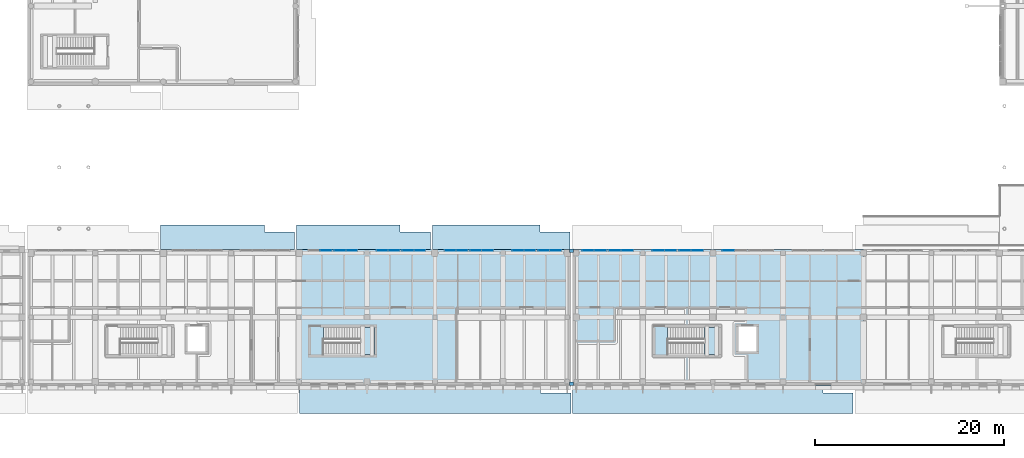
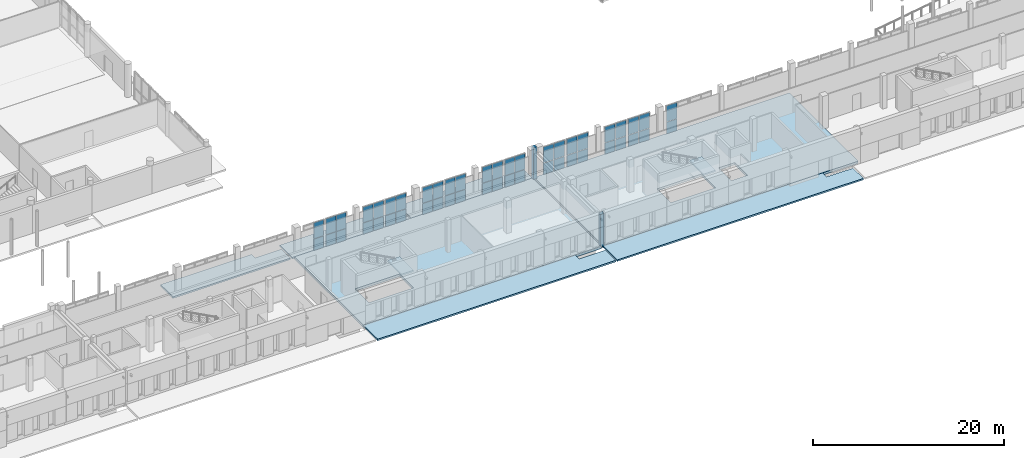
# One storey, part 40 of 77: 50 plates, 9 slabs, 15 elements without a shape of their own.
"""IFC4 building model written with IfcOpenShell, lengths in metres."""

from ifc_helpers import new_model, si_unit, direction, frame, origin, origin_2d, place, context, subcontext, project, spatial, polyline, rectangle, outline, extrude, material, layer, layer_set, type_object, element, aggregate, save


model = new_model("IFC4")

# Units and contexts
model_context = context("Model", 3, precision=1e-05, world=origin(), true_north=direction((0.0, 1.0)))
body_context = subcontext(model_context, "Body", "Model", "MODEL_VIEW")
ifc_project = project(units=[si_unit("LENGTHUNIT", "METRE"), si_unit("AREAUNIT", "SQUARE_METRE"), si_unit("VOLUMEUNIT", "CUBIC_METRE"), si_unit("PLANEANGLEUNIT", "RADIAN"), si_unit("MASSUNIT", "GRAM", prefix="KILO")], contexts=[model_context])

# Site, building, storey
site_placement = place(None, origin())
site = spatial("IfcSite", under=ifc_project, at=site_placement, CompositionType="ELEMENT")
building_placement = place(site_placement, origin())
building = spatial("IfcBuilding", under=site, at=building_placement, Name="Vardoun Plaza Health Centre", CompositionType="ELEMENT")
storey_placement = place(building_placement, origin())
storey = spatial("IfcBuildingStorey", under=building, at=storey_placement, Name="L00", CompositionType="ELEMENT", Elevation=0.0)

# Curtain wall, plates
ifc_material_1 = material(Name="Aluminium Alloy EN AW-6063-T6 and Low-E Glass", Category="aluminium")
ifc_layer_1 = layer(ifc_material_1, 0.14990234375)
ifc_layer_set_1 = layer_set([ifc_layer_1], Name="Aluminium Alloy EN AW-6063-T6 and Low-E Glass")
curtain_wall_type = type_object("IfcCurtainWallType", Name="CW-03", PredefinedType="NOTDEFINED", material=ifc_layer_set_1)
curtain_wall_1_placement = place(storey_placement, origin())
curtain_wall_1 = element("IfcCurtainWall", 1, at=curtain_wall_1_placement, inside=storey, type_object=curtain_wall_type, Name="Curtain Wall CW-V4-109", PredefinedType="NOTDEFINED")
ifc_material_2 = material(Name="Solar-Control Double Low-E Glazing", Category="glass")
ifc_layer_2 = layer(ifc_material_2, 0.028076171875)
ifc_layer_set_2 = layer_set([ifc_layer_2], Name="Solar-Control Double Low-E Glazing")
plate_type_1 = type_object("IfcPlateType", Name="CW-P1", PredefinedType="CURTAIN_PANEL", material=ifc_layer_set_2)
plate_1_placement = place(storey_placement, frame((79.544921875, 18.780029296875, 0.06005859375), z_axis=(0.0, 0.0, 1.0), x_axis=(1.0, 0.0, 0.0)))
plate_1 = element("IfcPlate", 2, at=plate_1_placement, type_object=plate_type_1, Name="CW-V4-109 panel 2.1", PredefinedType="CURTAIN_PANEL", context=body_context, shape_type="SweptSolid", body=[
    extrude(rectangle(XDim=1.18994140625, YDim=0.028076171875, at=origin_2d()), origin(), (0.0, 0.0, 1.0), 1.451416015625),
])
plate_2_placement = place(storey_placement, frame((79.544921875, 18.780029296875, 1.571533203125), z_axis=(0.0, 0.0, 1.0), x_axis=(1.0, 0.0, 0.0)))
plate_2 = element("IfcPlate", 3, at=plate_2_placement, type_object=plate_type_1, Name="CW-V4-109 panel 2.2", PredefinedType="CURTAIN_PANEL", context=body_context, shape_type="SweptSolid", body=[
    extrude(rectangle(XDim=1.18994140625, YDim=0.028076171875, at=origin_2d()), origin(), (0.0, 0.0, 1.0), 2.03857421875),
])
aggregate(curtain_wall_1, [plate_1, plate_2])

curtain_wall_2_placement = place(storey_placement, origin())
curtain_wall_2 = element("IfcCurtainWall", 4, at=curtain_wall_2_placement, inside=storey, type_object=curtain_wall_type, Name="Curtain Wall CW-V4-110", PredefinedType="NOTDEFINED")
plate_3_placement = place(storey_placement, frame((81.014892578125, 18.780029296875, 0.06005859375), z_axis=(0.0, 0.0, 1.0), x_axis=(1.0, 0.0, 0.0)))
plate_3 = element("IfcPlate", 5, at=plate_3_placement, type_object=plate_type_1, Name="CW-V4-110 panel 1.1", PredefinedType="CURTAIN_PANEL", context=body_context, shape_type="SweptSolid", body=[
    extrude(rectangle(XDim=1.18994140625, YDim=0.028076171875, at=origin_2d()), origin(), (0.0, 0.0, 1.0), 1.451416015625),
])
plate_4_placement = place(storey_placement, frame((81.014892578125, 18.780029296875, 1.571533203125), z_axis=(0.0, 0.0, 1.0), x_axis=(1.0, 0.0, 0.0)))
plate_4 = element("IfcPlate", 6, at=plate_4_placement, type_object=plate_type_1, Name="CW-V4-110 panel 1.2", PredefinedType="CURTAIN_PANEL", context=body_context, shape_type="SweptSolid", body=[
    extrude(rectangle(XDim=1.18994140625, YDim=0.028076171875, at=origin_2d()), origin(), (0.0, 0.0, 1.0), 2.03857421875),
])
plate_5_placement = place(storey_placement, frame((82.264892578125, 18.780029296875, 0.06005859375), z_axis=(0.0, 0.0, 1.0), x_axis=(1.0, 0.0, 0.0)))
plate_5 = element("IfcPlate", 7, at=plate_5_placement, type_object=plate_type_1, Name="CW-V4-110 panel 2.1", PredefinedType="CURTAIN_PANEL", context=body_context, shape_type="SweptSolid", body=[
    extrude(rectangle(XDim=1.18994140625, YDim=0.028076171875, at=origin_2d()), origin(), (0.0, 0.0, 1.0), 1.451416015625),
])
plate_6_placement = place(storey_placement, frame((82.264892578125, 18.780029296875, 1.571533203125), z_axis=(0.0, 0.0, 1.0), x_axis=(1.0, 0.0, 0.0)))
plate_6 = element("IfcPlate", 8, at=plate_6_placement, type_object=plate_type_1, Name="CW-V4-110 panel 2.2", PredefinedType="CURTAIN_PANEL", context=body_context, shape_type="SweptSolid", body=[
    extrude(rectangle(XDim=1.18994140625, YDim=0.028076171875, at=origin_2d()), origin(), (0.0, 0.0, 1.0), 2.03857421875),
])
aggregate(curtain_wall_2, [plate_3, plate_4, plate_5, plate_6])

curtain_wall_3_placement = place(storey_placement, origin())
curtain_wall_3 = element("IfcCurtainWall", 9, at=curtain_wall_3_placement, inside=storey, type_object=curtain_wall_type, Name="Curtain Wall CW-V4-111", PredefinedType="NOTDEFINED")
plate_7_placement = place(storey_placement, frame((85.4951171875, 18.780029296875, 0.06005859375), z_axis=(0.0, 0.0, 1.0), x_axis=(1.0, 0.0, 0.0)))
plate_7 = element("IfcPlate", 10, at=plate_7_placement, type_object=plate_type_1, Name="CW-V4-111 panel 1.1", PredefinedType="CURTAIN_PANEL", context=body_context, shape_type="SweptSolid", body=[
    extrude(rectangle(XDim=1.18994140625, YDim=0.028076171875, at=origin_2d()), origin(), (0.0, 0.0, 1.0), 1.417724609375),
])
plate_8_placement = place(storey_placement, frame((85.4951171875, 18.780029296875, 1.537841796875), z_axis=(0.0, 0.0, 1.0), x_axis=(1.0, 0.0, 0.0)))
plate_8 = element("IfcPlate", 11, at=plate_8_placement, type_object=plate_type_1, Name="CW-V4-111 panel 1.2", PredefinedType="CURTAIN_PANEL", context=body_context, shape_type="SweptSolid", body=[
    extrude(rectangle(XDim=1.18994140625, YDim=0.028076171875, at=origin_2d()), origin(), (0.0, 0.0, 1.0), 1.9921875),
])
plate_9_placement = place(storey_placement, frame((86.7451171875, 18.780029296875, 0.06005859375), z_axis=(0.0, 0.0, 1.0), x_axis=(1.0, 0.0, 0.0)))
plate_9 = element("IfcPlate", 12, at=plate_9_placement, type_object=plate_type_1, Name="CW-V4-111 panel 2.1", PredefinedType="CURTAIN_PANEL", context=body_context, shape_type="SweptSolid", body=[
    extrude(rectangle(XDim=1.18994140625, YDim=0.028076171875, at=origin_2d()), origin(), (0.0, 0.0, 1.0), 1.417724609375),
])
plate_10_placement = place(storey_placement, frame((86.7451171875, 18.780029296875, 1.537841796875), z_axis=(0.0, 0.0, 1.0), x_axis=(1.0, 0.0, 0.0)))
plate_10 = element("IfcPlate", 13, at=plate_10_placement, type_object=plate_type_1, Name="CW-V4-111 panel 2.2", PredefinedType="CURTAIN_PANEL", context=body_context, shape_type="SweptSolid", body=[
    extrude(rectangle(XDim=1.18994140625, YDim=0.028076171875, at=origin_2d()), origin(), (0.0, 0.0, 1.0), 1.9921875),
])
aggregate(curtain_wall_3, [plate_7, plate_8, plate_9, plate_10])

curtain_wall_4_placement = place(storey_placement, origin())
curtain_wall_4 = element("IfcCurtainWall", 14, at=curtain_wall_4_placement, inside=storey, type_object=curtain_wall_type, Name="Curtain Wall CW-V4-112", PredefinedType="NOTDEFINED")
plate_11_placement = place(storey_placement, frame((88.215087890625, 18.780029296875, 0.06005859375), z_axis=(0.0, 0.0, 1.0), x_axis=(1.0, 0.0, 0.0)))
plate_11 = element("IfcPlate", 15, at=plate_11_placement, type_object=plate_type_1, Name="CW-V4-112 panel 1.1", PredefinedType="CURTAIN_PANEL", context=body_context, shape_type="SweptSolid", body=[
    extrude(rectangle(XDim=1.18994140625, YDim=0.028076171875, at=origin_2d()), origin(), (0.0, 0.0, 1.0), 1.417724609375),
])
plate_12_placement = place(storey_placement, frame((88.215087890625, 18.780029296875, 1.537841796875), z_axis=(0.0, 0.0, 1.0), x_axis=(1.0, 0.0, 0.0)))
plate_12 = element("IfcPlate", 16, at=plate_12_placement, type_object=plate_type_1, Name="CW-V4-112 panel 1.2", PredefinedType="CURTAIN_PANEL", context=body_context, shape_type="SweptSolid", body=[
    extrude(rectangle(XDim=1.18994140625, YDim=0.028076171875, at=origin_2d()), origin(), (0.0, 0.0, 1.0), 1.9921875),
])
plate_13_placement = place(storey_placement, frame((89.465087890625, 18.780029296875, 0.06005859375), z_axis=(0.0, 0.0, 1.0), x_axis=(1.0, 0.0, 0.0)))
plate_13 = element("IfcPlate", 17, at=plate_13_placement, type_object=plate_type_1, Name="CW-V4-112 panel 2.1", PredefinedType="CURTAIN_PANEL", context=body_context, shape_type="SweptSolid", body=[
    extrude(rectangle(XDim=1.18994140625, YDim=0.028076171875, at=origin_2d()), origin(), (0.0, 0.0, 1.0), 1.417724609375),
])
plate_14_placement = place(storey_placement, frame((89.465087890625, 18.780029296875, 1.537841796875), z_axis=(0.0, 0.0, 1.0), x_axis=(1.0, 0.0, 0.0)))
plate_14 = element("IfcPlate", 18, at=plate_14_placement, type_object=plate_type_1, Name="CW-V4-112 panel 2.2", PredefinedType="CURTAIN_PANEL", context=body_context, shape_type="SweptSolid", body=[
    extrude(rectangle(XDim=1.18994140625, YDim=0.028076171875, at=origin_2d()), origin(), (0.0, 0.0, 1.0), 1.9921875),
])
aggregate(curtain_wall_4, [plate_11, plate_12, plate_13, plate_14])

curtain_wall_5_placement = place(storey_placement, origin())
curtain_wall_5 = element("IfcCurtainWall", 19, at=curtain_wall_5_placement, inside=storey, type_object=curtain_wall_type, Name="Curtain Wall CW-V4-113", PredefinedType="NOTDEFINED")
plate_15_placement = place(storey_placement, frame((92.695068359375, 18.780029296875, 0.06005859375), z_axis=(0.0, 0.0, 1.0), x_axis=(1.0, 0.0, 0.0)))
plate_15 = element("IfcPlate", 20, at=plate_15_placement, type_object=plate_type_1, Name="CW-V4-113 panel 1.1", PredefinedType="CURTAIN_PANEL", context=body_context, shape_type="SweptSolid", body=[
    extrude(rectangle(XDim=1.18994140625, YDim=0.028076171875, at=origin_2d()), origin(), (0.0, 0.0, 1.0), 1.40087890625),
])
plate_16_placement = place(storey_placement, frame((92.695068359375, 18.780029296875, 1.52099609375), z_axis=(0.0, 0.0, 1.0), x_axis=(1.0, 0.0, 0.0)))
plate_16 = element("IfcPlate", 21, at=plate_16_placement, type_object=plate_type_1, Name="CW-V4-113 panel 1.2", PredefinedType="CURTAIN_PANEL", context=body_context, shape_type="SweptSolid", body=[
    extrude(rectangle(XDim=1.18994140625, YDim=0.028076171875, at=origin_2d()), origin(), (0.0, 0.0, 1.0), 1.968994140625),
])
plate_17_placement = place(storey_placement, frame((93.945068359375, 18.780029296875, 0.06005859375), z_axis=(0.0, 0.0, 1.0), x_axis=(1.0, 0.0, 0.0)))
plate_17 = element("IfcPlate", 22, at=plate_17_placement, type_object=plate_type_1, Name="CW-V4-113 panel 2.1", PredefinedType="CURTAIN_PANEL", context=body_context, shape_type="SweptSolid", body=[
    extrude(rectangle(XDim=1.18994140625, YDim=0.028076171875, at=origin_2d()), origin(), (0.0, 0.0, 1.0), 1.40087890625),
])
plate_18_placement = place(storey_placement, frame((93.945068359375, 18.780029296875, 1.52099609375), z_axis=(0.0, 0.0, 1.0), x_axis=(1.0, 0.0, 0.0)))
plate_18 = element("IfcPlate", 23, at=plate_18_placement, type_object=plate_type_1, Name="CW-V4-113 panel 2.2", PredefinedType="CURTAIN_PANEL", context=body_context, shape_type="SweptSolid", body=[
    extrude(rectangle(XDim=1.18994140625, YDim=0.028076171875, at=origin_2d()), origin(), (0.0, 0.0, 1.0), 1.968994140625),
])
aggregate(curtain_wall_5, [plate_15, plate_16, plate_17, plate_18])

curtain_wall_6_placement = place(storey_placement, origin())
curtain_wall_6 = element("IfcCurtainWall", 24, at=curtain_wall_6_placement, inside=storey, type_object=curtain_wall_type, Name="Curtain Wall CW-V4-114", PredefinedType="NOTDEFINED")
plate_19_placement = place(storey_placement, frame((95.4150390625, 18.780029296875, 0.06005859375), z_axis=(0.0, 0.0, 1.0), x_axis=(1.0, 0.0, 0.0)))
plate_19 = element("IfcPlate", 25, at=plate_19_placement, type_object=plate_type_1, Name="CW-V4-114 panel 1.1", PredefinedType="CURTAIN_PANEL", context=body_context, shape_type="SweptSolid", body=[
    extrude(rectangle(XDim=1.18994140625, YDim=0.028076171875, at=origin_2d()), origin(), (0.0, 0.0, 1.0), 1.40087890625),
])
plate_20_placement = place(storey_placement, frame((95.4150390625, 18.780029296875, 1.52099609375), z_axis=(0.0, 0.0, 1.0), x_axis=(1.0, 0.0, 0.0)))
plate_20 = element("IfcPlate", 26, at=plate_20_placement, type_object=plate_type_1, Name="CW-V4-114 panel 1.2", PredefinedType="CURTAIN_PANEL", context=body_context, shape_type="SweptSolid", body=[
    extrude(rectangle(XDim=1.18994140625, YDim=0.028076171875, at=origin_2d()), origin(), (0.0, 0.0, 1.0), 1.968994140625),
])
plate_21_placement = place(storey_placement, frame((96.6650390625, 18.780029296875, 0.06005859375), z_axis=(0.0, 0.0, 1.0), x_axis=(1.0, 0.0, 0.0)))
plate_21 = element("IfcPlate", 27, at=plate_21_placement, type_object=plate_type_1, Name="CW-V4-114 panel 2.1", PredefinedType="CURTAIN_PANEL", context=body_context, shape_type="SweptSolid", body=[
    extrude(rectangle(XDim=1.18994140625, YDim=0.028076171875, at=origin_2d()), origin(), (0.0, 0.0, 1.0), 1.40087890625),
])
plate_22_placement = place(storey_placement, frame((96.6650390625, 18.780029296875, 1.52099609375), z_axis=(0.0, 0.0, 1.0), x_axis=(1.0, 0.0, 0.0)))
plate_22 = element("IfcPlate", 28, at=plate_22_placement, type_object=plate_type_1, Name="CW-V4-114 panel 2.2", PredefinedType="CURTAIN_PANEL", context=body_context, shape_type="SweptSolid", body=[
    extrude(rectangle(XDim=1.18994140625, YDim=0.028076171875, at=origin_2d()), origin(), (0.0, 0.0, 1.0), 1.968994140625),
])
aggregate(curtain_wall_6, [plate_19, plate_20, plate_21, plate_22])

curtain_wall_7_placement = place(storey_placement, origin())
curtain_wall_7 = element("IfcCurtainWall", 29, at=curtain_wall_7_placement, inside=storey, type_object=curtain_wall_type, Name="Curtain Wall CW-V4-115", PredefinedType="NOTDEFINED")
plate_23_placement = place(storey_placement, frame((99.89501953125, 18.780029296875, 0.06005859375), z_axis=(0.0, 0.0, 1.0), x_axis=(1.0, 0.0, 0.0)))
plate_23 = element("IfcPlate", 30, at=plate_23_placement, type_object=plate_type_1, Name="CW-V4-115 panel 1.1", PredefinedType="CURTAIN_PANEL", context=body_context, shape_type="SweptSolid", body=[
    extrude(rectangle(XDim=1.18994140625, YDim=0.028076171875, at=origin_2d()), origin(), (0.0, 0.0, 1.0), 1.430419921875),
])
plate_24_placement = place(storey_placement, frame((99.89501953125, 18.780029296875, 1.55029296875), z_axis=(0.0, 0.0, 1.0), x_axis=(1.0, 0.0, 0.0)))
plate_24 = element("IfcPlate", 31, at=plate_24_placement, type_object=plate_type_1, Name="CW-V4-115 panel 1.2", PredefinedType="CURTAIN_PANEL", context=body_context, shape_type="SweptSolid", body=[
    extrude(rectangle(XDim=1.18994140625, YDim=0.028076171875, at=origin_2d()), origin(), (0.0, 0.0, 1.0), 2.009521484375),
])
plate_25_placement = place(storey_placement, frame((101.14501953125, 18.780029296875, 0.06005859375), z_axis=(0.0, 0.0, 1.0), x_axis=(1.0, 0.0, 0.0)))
plate_25 = element("IfcPlate", 32, at=plate_25_placement, type_object=plate_type_1, Name="CW-V4-115 panel 2.1", PredefinedType="CURTAIN_PANEL", context=body_context, shape_type="SweptSolid", body=[
    extrude(rectangle(XDim=1.18994140625, YDim=0.028076171875, at=origin_2d()), origin(), (0.0, 0.0, 1.0), 1.430419921875),
])
plate_26_placement = place(storey_placement, frame((101.14501953125, 18.780029296875, 1.55029296875), z_axis=(0.0, 0.0, 1.0), x_axis=(1.0, 0.0, 0.0)))
plate_26 = element("IfcPlate", 33, at=plate_26_placement, type_object=plate_type_1, Name="CW-V4-115 panel 2.2", PredefinedType="CURTAIN_PANEL", context=body_context, shape_type="SweptSolid", body=[
    extrude(rectangle(XDim=1.18994140625, YDim=0.028076171875, at=origin_2d()), origin(), (0.0, 0.0, 1.0), 2.009521484375),
])
aggregate(curtain_wall_7, [plate_23, plate_24, plate_25, plate_26])

curtain_wall_8_placement = place(storey_placement, origin())
curtain_wall_8 = element("IfcCurtainWall", 34, at=curtain_wall_8_placement, inside=storey, type_object=curtain_wall_type, Name="Curtain Wall CW-V4-116", PredefinedType="NOTDEFINED")
plate_27_placement = place(storey_placement, frame((102.614990234375, 18.780029296875, 0.06005859375), z_axis=(0.0, 0.0, 1.0), x_axis=(1.0, 0.0, 0.0)))
plate_27 = element("IfcPlate", 35, at=plate_27_placement, type_object=plate_type_1, Name="CW-V4-116 panel 1.1", PredefinedType="CURTAIN_PANEL", context=body_context, shape_type="SweptSolid", body=[
    extrude(rectangle(XDim=1.18994140625, YDim=0.028076171875, at=origin_2d()), origin(), (0.0, 0.0, 1.0), 1.430419921875),
])
plate_28_placement = place(storey_placement, frame((102.614990234375, 18.780029296875, 1.55029296875), z_axis=(0.0, 0.0, 1.0), x_axis=(1.0, 0.0, 0.0)))
plate_28 = element("IfcPlate", 36, at=plate_28_placement, type_object=plate_type_1, Name="CW-V4-116 panel 1.2", PredefinedType="CURTAIN_PANEL", context=body_context, shape_type="SweptSolid", body=[
    extrude(rectangle(XDim=1.18994140625, YDim=0.028076171875, at=origin_2d()), origin(), (0.0, 0.0, 1.0), 2.009521484375),
])
plate_29_placement = place(storey_placement, frame((103.864990234375, 18.780029296875, 0.06005859375), z_axis=(0.0, 0.0, 1.0), x_axis=(1.0, 0.0, 0.0)))
plate_29 = element("IfcPlate", 37, at=plate_29_placement, type_object=plate_type_1, Name="CW-V4-116 panel 2.1", PredefinedType="CURTAIN_PANEL", context=body_context, shape_type="SweptSolid", body=[
    extrude(rectangle(XDim=1.18994140625, YDim=0.028076171875, at=origin_2d()), origin(), (0.0, 0.0, 1.0), 1.430419921875),
])
plate_30_placement = place(storey_placement, frame((103.864990234375, 18.780029296875, 1.55029296875), z_axis=(0.0, 0.0, 1.0), x_axis=(1.0, 0.0, 0.0)))
plate_30 = element("IfcPlate", 38, at=plate_30_placement, type_object=plate_type_1, Name="CW-V4-116 panel 2.2", PredefinedType="CURTAIN_PANEL", context=body_context, shape_type="SweptSolid", body=[
    extrude(rectangle(XDim=1.18994140625, YDim=0.028076171875, at=origin_2d()), origin(), (0.0, 0.0, 1.0), 2.009521484375),
])
aggregate(curtain_wall_8, [plate_27, plate_28, plate_29, plate_30])

curtain_wall_9_placement = place(storey_placement, origin())
curtain_wall_9 = element("IfcCurtainWall", 39, at=curtain_wall_9_placement, inside=storey, type_object=curtain_wall_type, Name="Curtain Wall CW-V5-133", PredefinedType="NOTDEFINED")
plate_31_placement = place(storey_placement, frame((107.304931640625, 18.780029296875, 0.06005859375), z_axis=(0.0, 0.0, 1.0), x_axis=(1.0, 0.0, 0.0)))
plate_31 = element("IfcPlate", 40, at=plate_31_placement, type_object=plate_type_1, Name="CW-V5-133 panel 1.1", PredefinedType="CURTAIN_PANEL", context=body_context, shape_type="SweptSolid", body=[
    extrude(rectangle(XDim=1.25, YDim=0.028076171875, at=origin_2d()), origin(), (0.0, 0.0, 1.0), 1.438720703125),
])
plate_32_placement = place(storey_placement, frame((107.304931640625, 18.780029296875, 1.55859375), z_axis=(0.0, 0.0, 1.0), x_axis=(1.0, 0.0, 0.0)))
plate_32 = element("IfcPlate", 41, at=plate_32_placement, type_object=plate_type_1, Name="CW-V5-133 panel 1.2", PredefinedType="CURTAIN_PANEL", context=body_context, shape_type="SweptSolid", body=[
    extrude(rectangle(XDim=1.25, YDim=0.028076171875, at=origin_2d()), origin(), (0.0, 0.0, 1.0), 2.021240234375),
])
plate_33_placement = place(storey_placement, frame((108.614990234375, 18.780029296875, 0.06005859375), z_axis=(0.0, 0.0, 1.0), x_axis=(1.0, 0.0, 0.0)))
plate_33 = element("IfcPlate", 42, at=plate_33_placement, type_object=plate_type_1, Name="CW-V5-133 panel 2.1", PredefinedType="CURTAIN_PANEL", context=body_context, shape_type="SweptSolid", body=[
    extrude(rectangle(XDim=1.25, YDim=0.028076171875, at=origin_2d()), origin(), (0.0, 0.0, 1.0), 1.438720703125),
])
plate_34_placement = place(storey_placement, frame((108.614990234375, 18.780029296875, 1.55859375), z_axis=(0.0, 0.0, 1.0), x_axis=(1.0, 0.0, 0.0)))
plate_34 = element("IfcPlate", 43, at=plate_34_placement, type_object=plate_type_1, Name="CW-V5-133 panel 2.2", PredefinedType="CURTAIN_PANEL", context=body_context, shape_type="SweptSolid", body=[
    extrude(rectangle(XDim=1.25, YDim=0.028076171875, at=origin_2d()), origin(), (0.0, 0.0, 1.0), 2.021240234375),
])
aggregate(curtain_wall_9, [plate_31, plate_32, plate_33, plate_34])

curtain_wall_10_placement = place(storey_placement, origin())
curtain_wall_10 = element("IfcCurtainWall", 44, at=curtain_wall_10_placement, inside=storey, type_object=curtain_wall_type, Name="Curtain Wall CW-V5-134", PredefinedType="NOTDEFINED")
plate_35_placement = place(storey_placement, frame((110.14501953125, 18.780029296875, 0.06005859375), z_axis=(0.0, 0.0, 1.0), x_axis=(1.0, 0.0, 0.0)))
plate_35 = element("IfcPlate", 45, at=plate_35_placement, type_object=plate_type_1, Name="CW-V5-134 panel 1.1", PredefinedType="CURTAIN_PANEL", context=body_context, shape_type="SweptSolid", body=[
    extrude(rectangle(XDim=1.25, YDim=0.028076171875, at=origin_2d()), origin(), (0.0, 0.0, 1.0), 1.438720703125),
])
plate_36_placement = place(storey_placement, frame((110.14501953125, 18.780029296875, 1.55859375), z_axis=(0.0, 0.0, 1.0), x_axis=(1.0, 0.0, 0.0)))
plate_36 = element("IfcPlate", 46, at=plate_36_placement, type_object=plate_type_1, Name="CW-V5-134 panel 1.2", PredefinedType="CURTAIN_PANEL", context=body_context, shape_type="SweptSolid", body=[
    extrude(rectangle(XDim=1.25, YDim=0.028076171875, at=origin_2d()), origin(), (0.0, 0.0, 1.0), 2.021240234375),
])
plate_37_placement = place(storey_placement, frame((111.455078125, 18.780029296875, 0.06005859375), z_axis=(0.0, 0.0, 1.0), x_axis=(1.0, 0.0, 0.0)))
plate_37 = element("IfcPlate", 47, at=plate_37_placement, type_object=plate_type_1, Name="CW-V5-134 panel 2.1", PredefinedType="CURTAIN_PANEL", context=body_context, shape_type="SweptSolid", body=[
    extrude(rectangle(XDim=1.25, YDim=0.028076171875, at=origin_2d()), origin(), (0.0, 0.0, 1.0), 1.438720703125),
])
plate_38_placement = place(storey_placement, frame((111.455078125, 18.780029296875, 1.55859375), z_axis=(0.0, 0.0, 1.0), x_axis=(1.0, 0.0, 0.0)))
plate_38 = element("IfcPlate", 48, at=plate_38_placement, type_object=plate_type_1, Name="CW-V5-134 panel 2.2", PredefinedType="CURTAIN_PANEL", context=body_context, shape_type="SweptSolid", body=[
    extrude(rectangle(XDim=1.25, YDim=0.028076171875, at=origin_2d()), origin(), (0.0, 0.0, 1.0), 2.021240234375),
])
aggregate(curtain_wall_10, [plate_35, plate_36, plate_37, plate_38])

curtain_wall_11_placement = place(storey_placement, origin())
curtain_wall_11 = element("IfcCurtainWall", 49, at=curtain_wall_11_placement, inside=storey, type_object=curtain_wall_type, Name="Curtain Wall CW-V5-135", PredefinedType="NOTDEFINED")
plate_39_placement = place(storey_placement, frame((114.7451171875, 18.780029296875, 0.06005859375), z_axis=(0.0, 0.0, 1.0), x_axis=(1.0, 0.0, 0.0)))
plate_39 = element("IfcPlate", 50, at=plate_39_placement, type_object=plate_type_1, Name="CW-V5-135 panel 1.1", PredefinedType="CURTAIN_PANEL", context=body_context, shape_type="SweptSolid", body=[
    extrude(rectangle(XDim=1.25, YDim=0.028076171875, at=origin_2d()), origin(), (0.0, 0.0, 1.0), 1.417724609375),
])
plate_40_placement = place(storey_placement, frame((114.7451171875, 18.780029296875, 1.537841796875), z_axis=(0.0, 0.0, 1.0), x_axis=(1.0, 0.0, 0.0)))
plate_40 = element("IfcPlate", 51, at=plate_40_placement, type_object=plate_type_1, Name="CW-V5-135 panel 1.2", PredefinedType="CURTAIN_PANEL", context=body_context, shape_type="SweptSolid", body=[
    extrude(rectangle(XDim=1.25, YDim=0.028076171875, at=origin_2d()), origin(), (0.0, 0.0, 1.0), 1.9921875),
])
plate_41_placement = place(storey_placement, frame((116.054931640625, 18.780029296875, 0.06005859375), z_axis=(0.0, 0.0, 1.0), x_axis=(1.0, 0.0, 0.0)))
plate_41 = element("IfcPlate", 52, at=plate_41_placement, type_object=plate_type_1, Name="CW-V5-135 panel 2.1", PredefinedType="CURTAIN_PANEL", context=body_context, shape_type="SweptSolid", body=[
    extrude(rectangle(XDim=1.25, YDim=0.028076171875, at=origin_2d()), origin(), (0.0, 0.0, 1.0), 1.417724609375),
])
plate_42_placement = place(storey_placement, frame((116.054931640625, 18.780029296875, 1.537841796875), z_axis=(0.0, 0.0, 1.0), x_axis=(1.0, 0.0, 0.0)))
plate_42 = element("IfcPlate", 53, at=plate_42_placement, type_object=plate_type_1, Name="CW-V5-135 panel 2.2", PredefinedType="CURTAIN_PANEL", context=body_context, shape_type="SweptSolid", body=[
    extrude(rectangle(XDim=1.25, YDim=0.028076171875, at=origin_2d()), origin(), (0.0, 0.0, 1.0), 1.9921875),
])
aggregate(curtain_wall_11, [plate_39, plate_40, plate_41, plate_42])

curtain_wall_12_placement = place(storey_placement, origin())
curtain_wall_12 = element("IfcCurtainWall", 54, at=curtain_wall_12_placement, inside=storey, type_object=curtain_wall_type, Name="Curtain Wall CW-V5-136", PredefinedType="NOTDEFINED")
plate_43_placement = place(storey_placement, frame((117.5849609375, 18.780029296875, 0.06005859375), z_axis=(0.0, 0.0, 1.0), x_axis=(1.0, 0.0, 0.0)))
plate_43 = element("IfcPlate", 55, at=plate_43_placement, type_object=plate_type_1, Name="CW-V5-136 panel 1.1", PredefinedType="CURTAIN_PANEL", context=body_context, shape_type="SweptSolid", body=[
    extrude(rectangle(XDim=1.25, YDim=0.028076171875, at=origin_2d()), origin(), (0.0, 0.0, 1.0), 1.417724609375),
])
plate_44_placement = place(storey_placement, frame((117.5849609375, 18.780029296875, 1.537841796875), z_axis=(0.0, 0.0, 1.0), x_axis=(1.0, 0.0, 0.0)))
plate_44 = element("IfcPlate", 56, at=plate_44_placement, type_object=plate_type_1, Name="CW-V5-136 panel 1.2", PredefinedType="CURTAIN_PANEL", context=body_context, shape_type="SweptSolid", body=[
    extrude(rectangle(XDim=1.25, YDim=0.028076171875, at=origin_2d()), origin(), (0.0, 0.0, 1.0), 1.9921875),
])
plate_45_placement = place(storey_placement, frame((118.89501953125, 18.780029296875, 0.06005859375), z_axis=(0.0, 0.0, 1.0), x_axis=(1.0, 0.0, 0.0)))
plate_45 = element("IfcPlate", 57, at=plate_45_placement, type_object=plate_type_1, Name="CW-V5-136 panel 2.1", PredefinedType="CURTAIN_PANEL", context=body_context, shape_type="SweptSolid", body=[
    extrude(rectangle(XDim=1.25, YDim=0.028076171875, at=origin_2d()), origin(), (0.0, 0.0, 1.0), 1.417724609375),
])
plate_46_placement = place(storey_placement, frame((118.89501953125, 18.780029296875, 1.537841796875), z_axis=(0.0, 0.0, 1.0), x_axis=(1.0, 0.0, 0.0)))
plate_46 = element("IfcPlate", 58, at=plate_46_placement, type_object=plate_type_1, Name="CW-V5-136 panel 2.2", PredefinedType="CURTAIN_PANEL", context=body_context, shape_type="SweptSolid", body=[
    extrude(rectangle(XDim=1.25, YDim=0.028076171875, at=origin_2d()), origin(), (0.0, 0.0, 1.0), 1.9921875),
])
aggregate(curtain_wall_12, [plate_43, plate_44, plate_45, plate_46])

curtain_wall_13_placement = place(storey_placement, origin())
curtain_wall_13 = element("IfcCurtainWall", 59, at=curtain_wall_13_placement, inside=storey, type_object=curtain_wall_type, Name="Curtain Wall CW-V5-137", PredefinedType="NOTDEFINED")
plate_47_placement = place(storey_placement, frame((122.18505859375, 18.780029296875, 0.06005859375), z_axis=(0.0, 0.0, 1.0), x_axis=(1.0, 0.0, 0.0)))
plate_47 = element("IfcPlate", 60, at=plate_47_placement, type_object=plate_type_1, Name="CW-V5-137 panel 1.1", PredefinedType="CURTAIN_PANEL", context=body_context, shape_type="SweptSolid", body=[
    extrude(rectangle(XDim=1.25, YDim=0.028076171875, at=origin_2d()), origin(), (0.0, 0.0, 1.0), 1.459716796875),
])
plate_48_placement = place(storey_placement, frame((122.18505859375, 18.780029296875, 1.579833984375), z_axis=(0.0, 0.0, 1.0), x_axis=(1.0, 0.0, 0.0)))
plate_48 = element("IfcPlate", 61, at=plate_48_placement, type_object=plate_type_1, Name="CW-V5-137 panel 1.2", PredefinedType="CURTAIN_PANEL", context=body_context, shape_type="SweptSolid", body=[
    extrude(rectangle(XDim=1.25, YDim=0.028076171875, at=origin_2d()), origin(), (0.0, 0.0, 1.0), 2.05029296875),
])
aggregate(curtain_wall_13, [plate_47, plate_48])

# Stair, slab
ifc_material_3 = material(Name="Concrete C35/45", Category="concrete")
stair_type = type_object("IfcStairType", Name="ST-01", PredefinedType="HALF_TURN_STAIR", material=ifc_material_3)
stair_1_placement = place(storey_placement, origin())
stair_1 = element("IfcStair", 62, at=stair_1_placement, inside=storey, type_object=stair_type, Name="Core C7 L00 Exit Stair ST-C7-L00", PredefinedType="HALF_TURN_STAIR")
ifc_material_4 = material(Name="Concrete C35/45", Category="concrete")
ifc_layer_3 = layer(ifc_material_4, 0.199951171875)
ifc_layer_set_3 = layer_set([ifc_layer_3], Name="Concrete C35/45")
slab_type_1 = type_object("IfcSlabType", Name="SL-LD", PredefinedType="LANDING", material=ifc_layer_set_3)
slab_1_placement = place(storey_placement, frame((0.0, 0.0, 2.050048828125)))
slab_1 = element("IfcSlab", 63, at=slab_1_placement, type_object=slab_type_1, Name="ST-C7-L00 landing 1", PredefinedType="LANDING", context=body_context, shape_type="SweptSolid", body=[
    extrude(outline(polyline([(83.16943359375, 7.75), (84.64990234375, 7.75), (84.64990234375, 10.64990234375), (83.16943359375, 10.64990234375), (83.16943359375, 7.75)])), origin(), (0.0, 0.0, 1.0), 0.199951171875),
])
aggregate(stair_1, [slab_1])

stair_2_placement = place(storey_placement, origin())
stair_2 = element("IfcStair", 64, at=stair_2_placement, inside=storey, type_object=stair_type, Name="Core C8 L00 Exit Stair ST-C8-L00", PredefinedType="HALF_TURN_STAIR")
slab_2_placement = place(storey_placement, frame((0.0, 0.0, 2.050048828125)))
slab_2 = element("IfcSlab", 65, at=slab_2_placement, type_object=slab_type_1, Name="ST-C8-L00 landing 1", PredefinedType="LANDING", context=body_context, shape_type="SweptSolid", body=[
    extrude(outline(polyline([(119.66943359375, 7.75), (121.14990234375, 7.75), (121.14990234375, 10.64990234375), (119.66943359375, 10.64990234375), (119.66943359375, 7.75)])), origin(), (0.0, 0.0, 1.0), 0.199951171875),
])
aggregate(stair_2, [slab_2])

# Plates
ifc_material_5 = material(Name="Aluminium Alloy EN AW-6063-T6", Category="aluminium")
ifc_layer_4 = layer(ifc_material_5, 0.050048828125)
ifc_layer_set_4 = layer_set([ifc_layer_4], Name="Aluminium Alloy EN AW-6063-T6")
plate_type_2 = type_object("IfcPlateType", Name="SJ-01", PredefinedType="SHEET", material=ifc_layer_set_4)
for number, where, z_axis, x_axis, name in (
    (66, (105.570068359375, 4.64990234375, 0.0), (0.0, 0.0, 1.0), (1.0, 0.0, 0.0), "Seismic Joint Facade Cover SJ-V45-S-L00"),
    (67, (105.570068359375, 18.75, 0.0), (0.0, 0.0, 1.0), (1.0, 0.0, 0.0), "Seismic Joint Facade Cover SJ-V45-N-L00"),
):
    element("IfcPlate", number, at=place(storey_placement, frame(where, z_axis=z_axis, x_axis=x_axis)), inside=storey, type_object=plate_type_2, Name=name, PredefinedType="SHEET", context=body_context, shape_type="SweptSolid", body=[
        extrude(rectangle(XDim=0.419921875, YDim=0.360107421875, at=origin_2d()), origin(), (0.0, 0.0, 1.0), 4.10009765625),
    ])

# Slabs
ifc_material_6 = material(Name="Concrete C35/45", Category="concrete")
ifc_layer_5 = layer(ifc_material_6, 0.294921875)
ifc_layer_set_5 = layer_set([ifc_layer_5], Name="Concrete C35/45")
slab_type_2 = type_object("IfcSlabType", Name="SL-04", PredefinedType="FLOOR", material=ifc_layer_set_5)
slab_3_placement = place(storey_placement, frame((0.0, 0.0, -0.294921875)))
element("IfcSlab", 68, at=slab_3_placement, inside=storey, type_object=slab_type_2, Name="V5 L00 Structural Slab A", PredefinedType="FLOOR", context=body_context, shape_type="SweptSolid", body=[
    extrude(outline(polyline([(105.659912109375, 4.5), (136.5, 4.5), (136.5, 18.89990234375), (105.659912109375, 18.89990234375), (105.659912109375, 4.5)]), holes=[polyline([(115.75048828125, 7.75), (121.14990234375, 7.75), (121.14990234375, 10.64990234375), (115.75048828125, 10.64990234375), (115.75048828125, 7.75)]), polyline([(123.219970703125, 8.070068359375), (125.179931640625, 8.070068359375), (125.179931640625, 10.72998046875), (123.219970703125, 10.72998046875), (123.219970703125, 8.070068359375)])]), origin(), (0.0, 0.0, 1.0), 0.294921875),
])
ifc_material_7 = material(Name="Concrete C35/45", Category="concrete")
ifc_layer_6 = layer(ifc_material_7, 0.31494140625)
ifc_layer_set_6 = layer_set([ifc_layer_6], Name="Concrete C35/45")
slab_type_3 = type_object("IfcSlabType", Name="SL-05", PredefinedType="FLOOR", material=ifc_layer_set_6)
slab_4_placement = place(storey_placement, frame((0.0, 0.0, -0.31494140625)))
element("IfcSlab", 69, at=slab_4_placement, inside=storey, type_object=slab_type_3, Name="V4 L00 Structural Slab B", PredefinedType="FLOOR", context=body_context, shape_type="SweptSolid", body=[
    extrude(outline(polyline([(76.679931640625, 4.5), (105.47998046875, 4.5), (105.47998046875, 18.89990234375), (76.679931640625, 18.89990234375), (76.679931640625, 4.5)]), holes=[polyline([(79.25048828125, 7.75), (84.64990234375, 7.75), (84.64990234375, 10.64990234375), (79.25048828125, 10.64990234375), (79.25048828125, 7.75)])]), origin(), (0.0, 0.0, 1.0), 0.31494140625),
])
ifc_material_8 = material(Name="Pale Limestone Concrete C35/45", Category="masonry")
ifc_layer_7 = layer(ifc_material_8, 0.169921875)
ifc_layer_set_7 = layer_set([ifc_layer_7], Name="Pale Limestone Concrete C35/45")
slab_type_4 = type_object("IfcSlabType", Name="SL-T2", PredefinedType="USERDEFINED", material=ifc_layer_set_7)
slab_5_placement = place(storey_placement, frame((0.0, 0.0, -0.199951171875)))
element("IfcSlab", 70, at=slab_5_placement, inside=storey, type_object=slab_type_4, Name="Ground Plaza Paving Apron PZ-S4", ObjectType="PAVING", PredefinedType="USERDEFINED", context=body_context, shape_type="SweptSolid", body=[
    extrude(outline(polyline([(76.699951171875, 1.5), (105.47998046875, 1.5), (105.47998046875, 3.659912109375), (102.280029296875, 3.659912109375), (102.280029296875, 4.5), (76.699951171875, 4.5), (76.699951171875, 1.5)])), origin(), (0.0, 0.0, 1.0), 0.199951171875),
])
slab_6_placement = place(storey_placement, frame((0.0, 0.0, -0.199951171875)))
element("IfcSlab", 71, at=slab_6_placement, inside=storey, type_object=slab_type_4, Name="Ground Plaza Paving Apron PZ-S5", ObjectType="PAVING", PredefinedType="USERDEFINED", context=body_context, shape_type="SweptSolid", body=[
    extrude(outline(polyline([(105.659912109375, 1.5), (135.39990234375, 1.5), (135.39990234375, 3.659912109375), (132.199951171875, 3.659912109375), (132.199951171875, 4.5), (105.659912109375, 4.5), (105.659912109375, 1.5)])), origin(), (0.0, 0.0, 1.0), 0.199951171875),
])
slab_7_placement = place(storey_placement, frame((0.0, 0.0, -0.199951171875)))
element("IfcSlab", 72, at=slab_7_placement, inside=storey, type_object=slab_type_4, Name="Ground Plaza Paving Apron PZ-C07", ObjectType="PAVING", PredefinedType="USERDEFINED", context=body_context, shape_type="SweptSolid", body=[
    extrude(outline(polyline([(62.0, 18.89990234375), (76.199951171875, 18.89990234375), (76.199951171875, 20.77197265625), (73.0, 20.77197265625), (73.0, 21.5), (62.0, 21.5), (62.0, 18.89990234375)])), origin(), (0.0, 0.0, 1.0), 0.199951171875),
])
slab_8_placement = place(storey_placement, frame((0.0, 0.0, -0.199951171875)))
element("IfcSlab", 73, at=slab_8_placement, inside=storey, type_object=slab_type_4, Name="Ground Plaza Paving Apron PZ-C08", ObjectType="PAVING", PredefinedType="USERDEFINED", context=body_context, shape_type="SweptSolid", body=[
    extrude(outline(polyline([(76.39990234375, 18.89990234375), (90.60009765625, 18.89990234375), (90.60009765625, 20.77197265625), (87.39990234375, 20.77197265625), (87.39990234375, 21.5), (76.39990234375, 21.5), (76.39990234375, 18.89990234375)])), origin(), (0.0, 0.0, 1.0), 0.199951171875),
])
slab_9_placement = place(storey_placement, frame((0.0, 0.0, -0.199951171875)))
element("IfcSlab", 74, at=slab_9_placement, inside=storey, type_object=slab_type_4, Name="Ground Plaza Paving Apron PZ-C09", ObjectType="PAVING", PredefinedType="USERDEFINED", context=body_context, shape_type="SweptSolid", body=[
    extrude(outline(polyline([(90.800048828125, 18.89990234375), (105.39990234375, 18.89990234375), (105.39990234375, 20.77197265625), (102.199951171875, 20.77197265625), (102.199951171875, 21.5), (90.800048828125, 21.5), (90.800048828125, 18.89990234375)])), origin(), (0.0, 0.0, 1.0), 0.199951171875),
])

save(model, "model.ifc")
